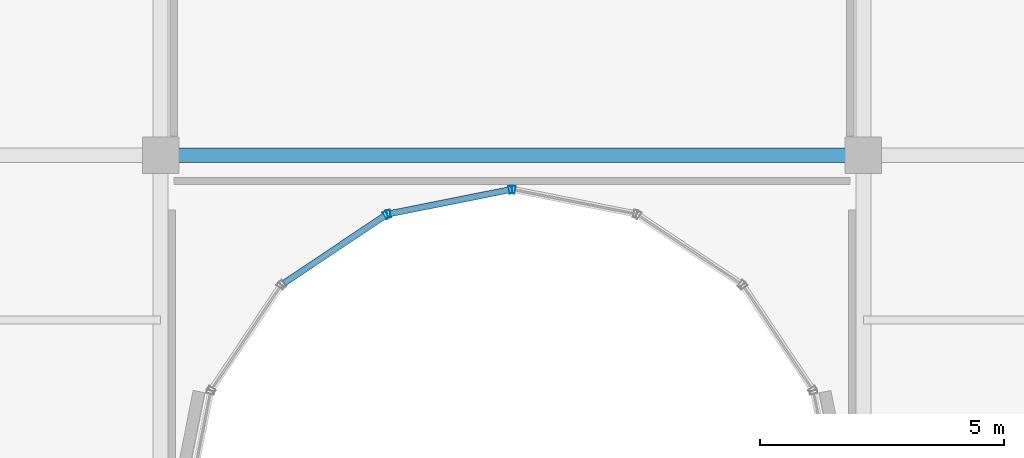
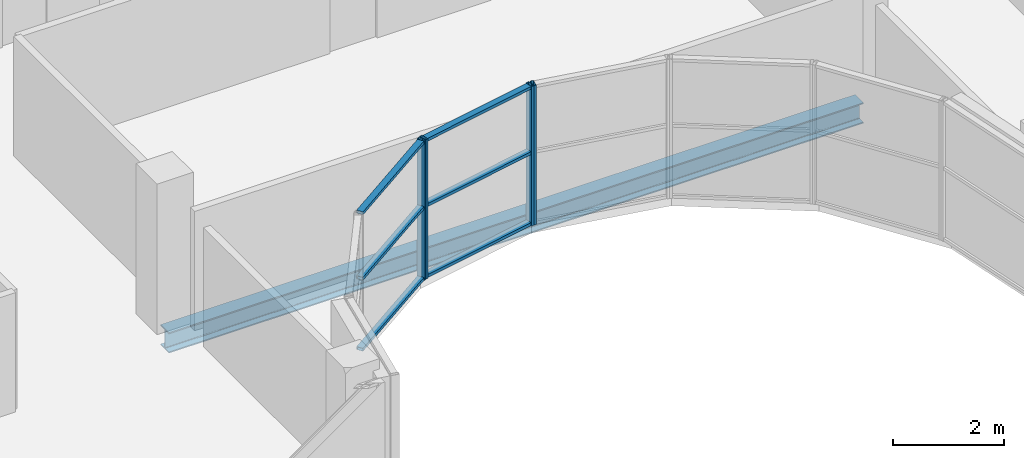
# One storey, part 6 of 28: 10 members, 1 beam, 3 elements without a shape of their own.
"""IFC4 building model written with IfcOpenShell, lengths in metres."""

from ifc_helpers import new_model, si_unit, direction, frame, origin, origin_2d, place, context, subcontext, project, spatial, hollow_rectangle, i_section, extrude, source, transform, mapped, material, layer, layer_set, material_profile, profile_set, type_object, element, aggregate, save


model = new_model("IFC4")

# Units and contexts
model_context = context("Model", 3, precision=1e-05, world=origin(), true_north=direction((0.0, 1.0)))
body_context = subcontext(model_context, "Body", "Model", "MODEL_VIEW")
ifc_project = project(units=[si_unit("LENGTHUNIT", "METRE"), si_unit("AREAUNIT", "SQUARE_METRE"), si_unit("VOLUMEUNIT", "CUBIC_METRE"), si_unit("PLANEANGLEUNIT", "RADIAN"), si_unit("MASSUNIT", "GRAM", prefix="KILO")], contexts=[model_context])

# Site, building, storey
site_placement = place(None, origin())
site = spatial("IfcSite", under=ifc_project, at=site_placement, CompositionType="ELEMENT")
building_placement = place(site_placement, origin())
building = spatial("IfcBuilding", under=site, at=building_placement, Name="Zarnakvel Exchange Tower", CompositionType="ELEMENT")
storey_placement = place(building_placement, frame((0.0, 0.0, 261.699951171875)))
storey = spatial("IfcBuildingStorey", under=building, at=storey_placement, Name="L74", CompositionType="ELEMENT", Elevation=261.699951171875)

# Beam
ifc_material_1 = material(Name="Steel S355", Category="steel")
ifc_material_profile_1 = material_profile(ifc_material_1, i_section(OverallWidth=0.300048828125, OverallDepth=0.449951171875, WebThickness=0.013916015625, FlangeThickness=0.02587890625, FilletRadius=0.027099609375, at=origin_2d()))
ifc_profile_set_1 = profile_set([ifc_material_profile_1], Name="Steel S355")
beam_type = type_object("IfcBeamType", Name="G-07", PredefinedType="BEAM", material=ifc_profile_set_1)
beam_placement = place(storey_placement, frame((-7.199951171875, -9.60009765625, -0.449951171875), z_axis=(1.0, 0.0, 0.0), x_axis=(0.0, 1.0, 0.0)))
element("IfcBeam", 1, at=beam_placement, inside=storey, type_object=beam_type, Name="L74 Tower E-W Frame Beam", PredefinedType="BEAM", context=body_context, shape_type="SweptSolid", body=[
    extrude(i_section(OverallWidth=0.300048828125, OverallDepth=0.449951171875, WebThickness=0.013916015625, FlangeThickness=0.02587890625, FilletRadius=0.027099609375, at=origin_2d()), origin(), (0.0, 0.0, 1.0), 14.39990234375),
])

# Curtain wall, members
ifc_material_2 = material(Name="Architectural Bronze Anodised Aluminium", Category="aluminium")
ifc_layer = layer(ifc_material_2, 0.159912109375)
ifc_layer_set = layer_set([ifc_layer], Name="Architectural Bronze Anodised Aluminium")
curtain_wall_type = type_object("IfcCurtainWallType", Name="CW-06", PredefinedType="NOTDEFINED", material=ifc_layer_set)
curtain_wall_1_placement = place(storey_placement, origin())
curtain_wall_1 = element("IfcCurtainWall", 2, at=curtain_wall_1_placement, inside=storey, type_object=curtain_wall_type, Name="L74 Curtain Wall CW-L74-NC3 (CW-06)", PredefinedType="NOTDEFINED")
ifc_material_profile_2 = material_profile(ifc_material_2, hollow_rectangle(XDim=0.1298828125, YDim=0.06494140625, WallThickness=0.00390625, at=origin_2d()))
ifc_profile_set_2 = profile_set([ifc_material_profile_2], Name="Architectural Bronze Anodised Aluminium")
member_type_1 = type_object("IfcMemberType", Name="CWT-06", PredefinedType="USERDEFINED", material=ifc_profile_set_2)
shared_shape_1 = source(origin(), body_context, "Body", "SweptSolid", [
    extrude(hollow_rectangle(XDim=0.1298828125, YDim=0.06494140625, WallThickness=0.00390625, at=origin_2d()), origin(), (0.0, 0.0, 1.0), 2.4765625),
])
member_1_placement = place(storey_placement, frame((-4.66943359375, -12.220458984375, 0.032470703125), z_axis=(0.831443136401, 0.555609854963, 0.0), x_axis=(-0.555609854963, 0.831443136401, 0.0)))
member_1 = element("IfcMember", 3, at=member_1_placement, type_object=member_type_1, Name="CW-06 transom 1.1", ObjectType="TRANSOM", PredefinedType="USERDEFINED", context=body_context, shape_type="MappedRepresentation", body=[
    mapped(shared_shape_1, transform((0.0, 0.0, 0.0), x_axis=(1.0, 0.0, 0.0), y_axis=(0.0, 1.0, 0.0), z_axis=(0.0, 0.0, 1.0), scale=1.0)),
])
member_2_placement = place(storey_placement, frame((-4.66943359375, -12.220458984375, 1.588623046875), z_axis=(0.831443136401, 0.555609854963, 0.0), x_axis=(-0.555609854963, 0.831443136401, 0.0)))
member_2 = element("IfcMember", 4, at=member_2_placement, type_object=member_type_1, Name="CW-06 transom 1.2", ObjectType="TRANSOM", PredefinedType="USERDEFINED", context=body_context, shape_type="MappedRepresentation", body=[
    mapped(shared_shape_1, transform((0.0, 0.0, 0.0), x_axis=(1.0, 0.0, 0.0), y_axis=(0.0, 1.0, 0.0), z_axis=(0.0, 0.0, 1.0), scale=1.0)),
])
member_3_placement = place(storey_placement, frame((-4.66943359375, -12.220458984375, 3.0224609375), z_axis=(0.831443136401, 0.555609854963, 0.0), x_axis=(-0.555609854963, 0.831443136401, 0.0)))
member_3 = element("IfcMember", 5, at=member_3_placement, type_object=member_type_1, Name="CW-06 transom 1.3", ObjectType="TRANSOM", PredefinedType="USERDEFINED", context=body_context, shape_type="MappedRepresentation", body=[
    mapped(shared_shape_1, transform((0.0, 0.0, 0.0), x_axis=(1.0, 0.0, 0.0), y_axis=(0.0, 1.0, 0.0), z_axis=(0.0, 0.0, 1.0), scale=1.0)),
])

curtain_wall_2_placement = place(storey_placement, origin())
curtain_wall_2 = element("IfcCurtainWall", 6, at=curtain_wall_2_placement, inside=storey, type_object=curtain_wall_type, Name="L74 Curtain Wall CW-L74-NC4 (CW-06)", PredefinedType="NOTDEFINED")
member_4_placement = place(storey_placement, frame((-2.49267578125, -10.7958984375, 0.032470703125), z_axis=(0.980784886983, 0.195092299863, 0.0), x_axis=(-0.195092299863, 0.980784886983, 0.0)))
member_4 = element("IfcMember", 7, at=member_4_placement, type_object=member_type_1, Name="CW-06 transom 1.1", ObjectType="TRANSOM", PredefinedType="USERDEFINED", context=body_context, shape_type="MappedRepresentation", body=[
    mapped(shared_shape_1, transform((0.0, 0.0, 0.0), x_axis=(1.0, 0.0, 0.0), y_axis=(0.0, 1.0, 0.0), z_axis=(0.0, 0.0, 1.0), scale=1.0)),
])
member_5_placement = place(storey_placement, frame((-2.49267578125, -10.7958984375, 1.588623046875), z_axis=(0.980784886983, 0.195092299863, 0.0), x_axis=(-0.195092299863, 0.980784886983, 0.0)))
member_5 = element("IfcMember", 8, at=member_5_placement, type_object=member_type_1, Name="CW-06 transom 1.2", ObjectType="TRANSOM", PredefinedType="USERDEFINED", context=body_context, shape_type="MappedRepresentation", body=[
    mapped(shared_shape_1, transform((0.0, 0.0, 0.0), x_axis=(1.0, 0.0, 0.0), y_axis=(0.0, 1.0, 0.0), z_axis=(0.0, 0.0, 1.0), scale=1.0)),
])
member_6_placement = place(storey_placement, frame((-2.49267578125, -10.7958984375, 3.0224609375), z_axis=(0.980784886983, 0.195092299863, 0.0), x_axis=(-0.195092299863, 0.980784886983, 0.0)))
member_6 = element("IfcMember", 9, at=member_6_placement, type_object=member_type_1, Name="CW-06 transom 1.3", ObjectType="TRANSOM", PredefinedType="USERDEFINED", context=body_context, shape_type="MappedRepresentation", body=[
    mapped(shared_shape_1, transform((0.0, 0.0, 0.0), x_axis=(1.0, 0.0, 0.0), y_axis=(0.0, 1.0, 0.0), z_axis=(0.0, 0.0, 1.0), scale=1.0)),
])

# Member
ifc_material_profile_3 = material_profile(ifc_material_2, hollow_rectangle(XDim=0.159912109375, YDim=0.06494140625, WallThickness=0.00390625, at=origin_2d()))
ifc_profile_set_3 = profile_set([ifc_material_profile_3], Name="Architectural Bronze Anodised Aluminium")
member_type_2 = type_object("IfcMemberType", Name="CWM-06", PredefinedType="MULLION", material=ifc_profile_set_3)
shared_shape_2 = source(origin(), body_context, "Body", "SweptSolid", [
    extrude(hollow_rectangle(XDim=0.159912109375, YDim=0.06494140625, WallThickness=0.00390625, at=origin_2d()), origin(), (0.0, 0.0, 1.0), 3.054931640625),
])
member_7_placement = place(storey_placement, frame((-2.583251953125, -10.82666015625, 0.0), z_axis=(0.0, 0.0, 1.0), x_axis=(-0.555570233339, 0.831469612089, 0.0)))
member_7 = element("IfcMember", 10, at=member_7_placement, type_object=member_type_2, Name="CW-06 mullion 2", PredefinedType="MULLION", context=body_context, shape_type="MappedRepresentation", body=[
    mapped(shared_shape_2, transform((0.0, 0.0, 0.0), x_axis=(1.0, 0.0, 0.0), y_axis=(0.0, 1.0, 0.0), z_axis=(0.0, 0.0, 1.0), scale=1.0)),
])

aggregate(curtain_wall_1, [member_7, member_1, member_2, member_3])

member_8_placement = place(storey_placement, frame((-2.5244140625, -10.80224609375, 0.0), z_axis=(0.0, 0.0, 1.0), x_axis=(-0.195090448398, 0.980785255264, 0.0)))
member_8 = element("IfcMember", 11, at=member_8_placement, type_object=member_type_2, Name="CW-06 mullion 1", PredefinedType="MULLION", context=body_context, shape_type="MappedRepresentation", body=[
    mapped(shared_shape_2, transform((0.0, 0.0, 0.0), x_axis=(1.0, 0.0, 0.0), y_axis=(0.0, 1.0, 0.0), z_axis=(0.0, 0.0, 1.0), scale=1.0)),
])

member_9_placement = place(storey_placement, frame((-0.031982421875, -10.306396484375, 0.0), z_axis=(0.0, 0.0, 1.0), x_axis=(-0.195090448398, 0.980785255264, 0.0)))
member_9 = element("IfcMember", 12, at=member_9_placement, type_object=member_type_2, Name="CW-06 mullion 2", PredefinedType="MULLION", context=body_context, shape_type="MappedRepresentation", body=[
    mapped(shared_shape_2, transform((0.0, 0.0, 0.0), x_axis=(1.0, 0.0, 0.0), y_axis=(0.0, 1.0, 0.0), z_axis=(0.0, 0.0, 1.0), scale=1.0)),
])

aggregate(curtain_wall_2, [member_8, member_9, member_4, member_5, member_6])

# Curtain wall, member
curtain_wall_3_placement = place(storey_placement, origin())
curtain_wall_3 = element("IfcCurtainWall", 13, at=curtain_wall_3_placement, inside=storey, type_object=curtain_wall_type, Name="L74 Curtain Wall CW-L74-NC5 (CW-06)", PredefinedType="NOTDEFINED")
member_10_placement = place(storey_placement, frame((0.031982421875, -10.306396484375, 0.0), z_axis=(0.0, 0.0, 1.0), x_axis=(0.195090448398, 0.980785255264, 0.0)))
member_10 = element("IfcMember", 14, at=member_10_placement, type_object=member_type_2, Name="CW-06 mullion 1", PredefinedType="MULLION", context=body_context, shape_type="MappedRepresentation", body=[
    mapped(shared_shape_2, transform((0.0, 0.0, 0.0), x_axis=(1.0, 0.0, 0.0), y_axis=(0.0, 1.0, 0.0), z_axis=(0.0, 0.0, 1.0), scale=1.0)),
])
aggregate(curtain_wall_3, [member_10])

save(model, "model.ifc")
